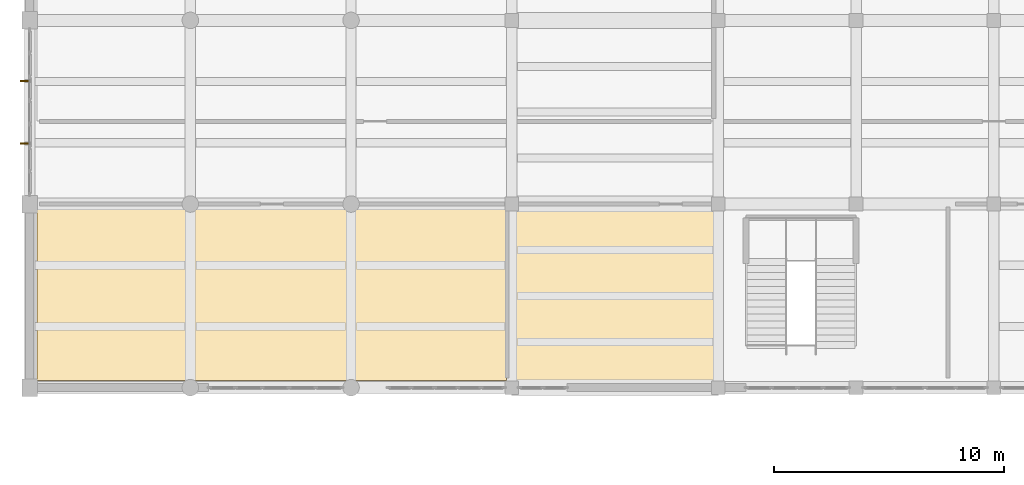
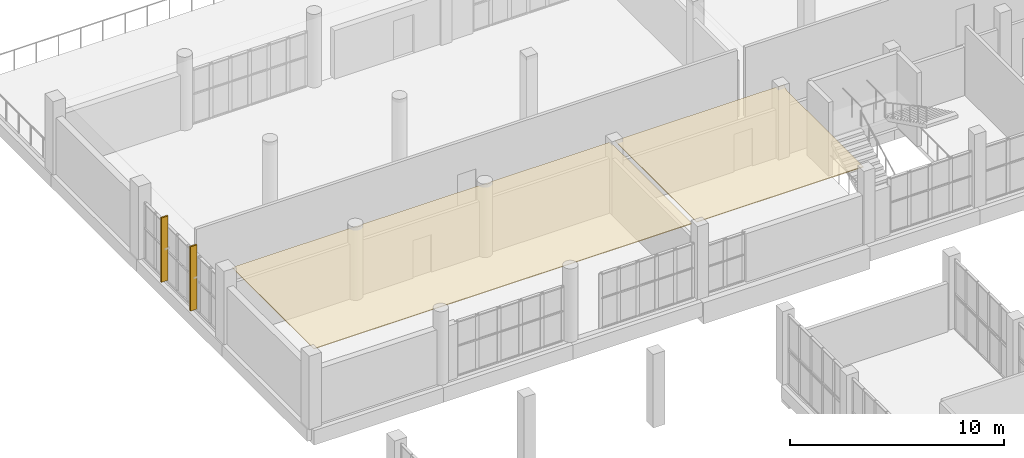
# One storey, part 81 of 85: 2 coverings, 2 shading devices.
"""IFC4 building model written with IfcOpenShell, lengths in metres."""

from ifc_helpers import new_model, si_unit, direction, frame, origin, origin_2d, place, context, subcontext, project, spatial, polyline, rectangle, outline, extrude, material, layer, layer_set, type_object, element, save


model = new_model("IFC4")

# Units and contexts
model_context = context("Model", 3, precision=1e-05, world=origin(), true_north=direction((0.0, 1.0)))
body_context = subcontext(model_context, "Body", "Model", "MODEL_VIEW")
ifc_project = project(units=[si_unit("LENGTHUNIT", "METRE"), si_unit("AREAUNIT", "SQUARE_METRE"), si_unit("VOLUMEUNIT", "CUBIC_METRE"), si_unit("PLANEANGLEUNIT", "RADIAN"), si_unit("MASSUNIT", "GRAM", prefix="KILO")], contexts=[model_context])

# Site, building, storey
site_placement = place(None, origin())
site = spatial("IfcSite", under=ifc_project, at=site_placement, CompositionType="ELEMENT")
building_placement = place(site_placement, origin())
building = spatial("IfcBuilding", under=site, at=building_placement, Name="Solvane Community Centre", CompositionType="ELEMENT")
storey_placement = place(building_placement, frame((0.0, 0.0, 5.39990234375)))
storey = spatial("IfcBuildingStorey", under=building, at=storey_placement, Name="L01", CompositionType="ELEMENT", Elevation=5.39990234375)

# Coverings
ifc_material_1 = material(Name="Acoustic timber slat ceiling", Category="wood")
ifc_layer = layer(ifc_material_1, 0.0400390625)
ifc_layer_set = layer_set([ifc_layer], Name="Acoustic timber slat ceiling")
covering_type = type_object("IfcCoveringType", Name="Acoustic Timber Slat Suspended Ceiling", PredefinedType="CEILING", material=ifc_layer_set)
covering_1_placement = place(storey_placement, frame((0.0, 0.0, 3.955078125)))
element("IfcCovering", 1, at=covering_1_placement, inside=storey, type_object=covering_type, Name="Acoustic Ceiling L01-34", PredefinedType="CEILING", context=body_context, shape_type="SweptSolid", body=[
    extrude(outline(polyline([(6.320068359375, 86.320068359375), (6.320068359375, 93.97998046875), (26.780029296875, 93.97998046875), (26.780029296875, 86.320068359375), (6.320068359375, 86.320068359375)])), origin(), (0.0, 0.0, 1.0), 0.0400390625),
])
covering_2_placement = place(storey_placement, frame((0.0, 0.0, 3.955078125)))
element("IfcCovering", 2, at=covering_2_placement, inside=storey, type_object=covering_type, Name="Acoustic Ceiling L01-35", PredefinedType="CEILING", context=body_context, shape_type="SweptSolid", body=[
    extrude(outline(polyline([(27.02001953125, 86.320068359375), (27.02001953125, 93.97998046875), (36.196044921875, 93.97998046875), (36.15478515625, 93.903076171875), (36.148193359375, 93.888916015625), (36.110595703125, 93.798095703125), (36.105224609375, 93.783203125), (36.076904296875, 93.689453125), (36.072998046875, 93.67431640625), (36.053955078125, 93.577880859375), (36.051513671875, 93.5625), (36.0419921875, 93.46484375), (36.041259765625, 93.44921875), (36.0400390625, 93.39990234375), (36.0400390625, 86.320068359375), (27.02001953125, 86.320068359375)])), origin(), (0.0, 0.0, 1.0), 0.0400390625),
])

# Shading devices
ifc_material_2 = material(Name="Anodised bronze aluminium AW-6063 T6", Category="aluminium")
shading_device_type = type_object("IfcShadingDeviceType", Name="Art Deco Bronze Solar Fin 80x360", PredefinedType="USERDEFINED", material=ifc_material_2)
shading_device_1_placement = place(storey_placement, frame((5.760009765625, 96.639892578125, 0.14990234375), z_axis=(0.0, 0.0, 1.0), x_axis=(0.0, 1.0, 0.0)))
element("IfcShadingDevice", 3, at=shading_device_1_placement, inside=storey, type_object=shading_device_type, Name="Solar Brise-Soleil Fin 45", ObjectType="Solar Brise-Soleil Fin 45", PredefinedType="USERDEFINED", context=body_context, shape_type="SweptSolid", body=[
    extrude(rectangle(XDim=0.080078125, YDim=0.360107421875, at=origin_2d()), origin(), (0.0, 0.0, 1.0), 3.679931640625),
])
shading_device_2_placement = place(storey_placement, frame((5.760009765625, 99.360107421875, 0.14990234375), z_axis=(0.0, 0.0, 1.0), x_axis=(0.0, 1.0, 0.0)))
element("IfcShadingDevice", 4, at=shading_device_2_placement, inside=storey, type_object=shading_device_type, Name="Solar Brise-Soleil Fin 46", ObjectType="Solar Brise-Soleil Fin 46", PredefinedType="USERDEFINED", context=body_context, shape_type="SweptSolid", body=[
    extrude(rectangle(XDim=0.080078125, YDim=0.360107421875, at=origin_2d()), origin(), (0.0, 0.0, 1.0), 3.679931640625),
])

save(model, "model.ifc")
